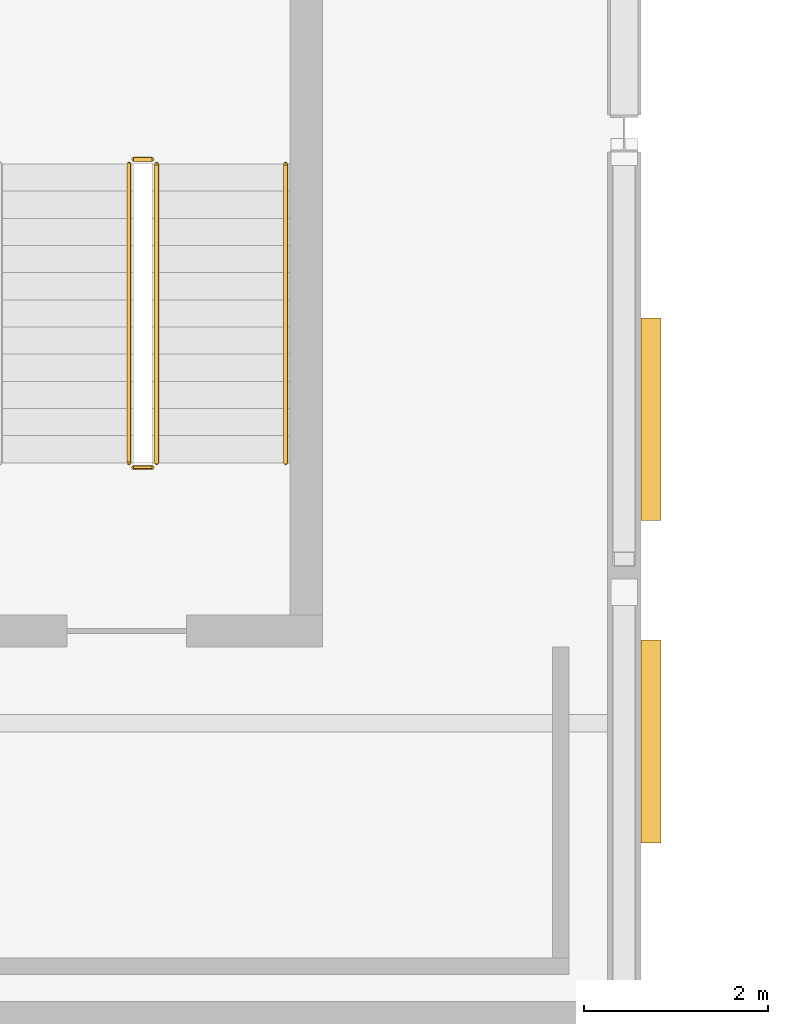
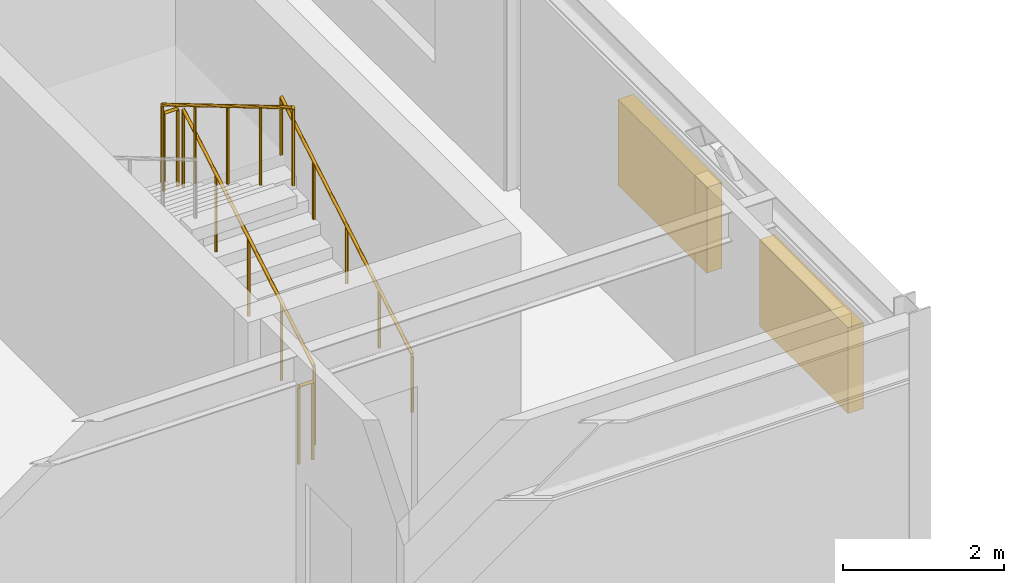
# One storey, part 94 of 99: 5 railings, 2 shading devices.
"""IFC4 building model written with IfcOpenShell, lengths in metres."""

import ifcopenshell
import ifcopenshell.guid

model = None  # the IFC model being written
_history = None  # IfcOwnerHistory: only IFC2X3 demands one
_inside = {}  # id of a spatial element -> (the spatial element, [elements in it])
_under = {}  # id of a project, library or spatial element -> (it, [spatial elements below it])
_declared = {}  # id of a project -> (the project, [libraries it declares])
_typed = {}  # id of a type object -> (the type object, [elements of that type])
_made_of = {}  # id of a material, layer set ... -> (it, [elements and type objects made of it])


def new_model(schema):
    """Start an empty IFC model of exactly this schema.

    Asked for "IFC4X3", IfcOpenShell would pick the latest addendum, in which some entities
    have other attributes; the version numbers below select the first issue.
    IFC2X3 requires an IfcOwnerHistory on every rooted entity: one is made here for all.
    """
    global model, _history
    if schema == "IFC4X3":
        model = ifcopenshell.file(schema_version=(4, 3, 0, 0))
    else:
        model = ifcopenshell.file(schema=schema)
    _inside.clear()
    _under.clear()
    _declared.clear()
    _typed.clear()
    _made_of.clear()
    _history = None
    if model.schema == "IFC2X3":
        org = make("IfcOrganization", Name="unknown")
        user = make(
            "IfcPersonAndOrganization",
            ThePerson=make("IfcPerson", FamilyName="unknown"),
            TheOrganization=org,
        )
        app = make(
            "IfcApplication",
            ApplicationDeveloper=org,
            Version="unknown",
            ApplicationFullName="unknown",
            ApplicationIdentifier="unknown",
        )
        _history = make(
            "IfcOwnerHistory",
            OwningUser=user,
            OwningApplication=app,
            ChangeAction="ADDED",
            CreationDate=0,
        )
    return model


def make(cls, **values):
    """One entity of the class cls with the attributes given. An attribute that is None is left unset."""
    return model.create_entity(
        cls, **{name: value for name, value in values.items() if value is not None}
    )


def rooted(cls, **values):
    """An entity with a GlobalId (a new one), such as an element, a storey or a relation."""
    return make(cls, GlobalId=ifcopenshell.guid.new(), OwnerHistory=_history, **values)


def si_unit(unit_type, name, prefix=None):
    """IfcSIUnit, for example si_unit("LENGTHUNIT", "METRE", prefix="MILLI")."""
    return make("IfcSIUnit", UnitType=unit_type, Prefix=prefix, Name=name)


def assignment(units):
    """IfcUnitAssignment: the units of a project."""
    return None if units is None else make("IfcUnitAssignment", Units=units)


def point(xyz):
    """IfcCartesianPoint."""
    return None if xyz is None else make("IfcCartesianPoint", Coordinates=xyz)


def direction(xyz):
    """IfcDirection."""
    return None if xyz is None else make("IfcDirection", DirectionRatios=xyz)


def frame(location, z_axis=None, x_axis=None):
    """IfcAxis2Placement3D, a coordinate frame: its origin and axes. An axis left out is left unset."""
    return make(
        "IfcAxis2Placement3D",
        Location=point(location),
        Axis=direction(z_axis),
        RefDirection=direction(x_axis),
    )


def frame_2d(location, x_axis=None):
    """IfcAxis2Placement2D, a coordinate frame in the plane: its origin and x axis."""
    return make(
        "IfcAxis2Placement2D", Location=point(location), RefDirection=direction(x_axis)
    )


def origin():
    """The frame at (0, 0, 0) with its axes left unset."""
    return frame((0.0, 0.0, 0.0))


def origin_2d():
    """The frame at (0, 0) in the plane with its x axis left unset."""
    return frame_2d((0.0, 0.0))


def place(relative_to, where):
    """IfcLocalPlacement: puts the frame where relative to a parent placement (None: the world)."""
    return make(
        "IfcLocalPlacement", PlacementRelTo=relative_to, RelativePlacement=where
    )


def context(
    kind, dimensions, precision=None, world=None, true_north=None, identifier=None
):
    """IfcGeometricRepresentationContext, for example the 3D "Model" context."""
    return make(
        "IfcGeometricRepresentationContext",
        ContextIdentifier=identifier,
        ContextType=kind,
        CoordinateSpaceDimension=dimensions,
        Precision=precision,
        WorldCoordinateSystem=world,
        TrueNorth=true_north,
    )


def subcontext(parent, identifier, kind, view, scale=None):
    """IfcGeometricRepresentationSubContext, for example "Body" below "Model"."""
    return make(
        "IfcGeometricRepresentationSubContext",
        ContextIdentifier=identifier,
        ContextType=kind,
        ParentContext=parent,
        TargetScale=scale,
        TargetView=view,
    )


def project(units=None, contexts=None):
    """IfcProject with its units and contexts."""
    return rooted(
        "IfcProject",
        Name="project",
        RepresentationContexts=contexts,
        UnitsInContext=assignment(units),
    )


def spatial(cls, under=None, at=None, **own):
    """A site, building, storey or space (cls), placed at a placement, below another one or the project."""
    s = rooted(cls, ObjectPlacement=at, **own)
    if under is not None:
        _under.setdefault(under.id(), (under, []))[1].append(s)
    return s


def profile(cls, at=None, kind="AREA", **sizes):
    """A parametric profile (cls). Its sizes go by their IFC names, for example OverallWidth=200.0."""
    return make(cls, ProfileType=kind, Position=at, **sizes)


def rectangle(**sizes):
    """IfcRectangleProfileDef."""
    return profile("IfcRectangleProfileDef", **sizes)


def circle(**sizes):
    """IfcCircleProfileDef."""
    return profile("IfcCircleProfileDef", **sizes)


def extrude(swept, where, along, depth):
    """IfcExtrudedAreaSolid: the profile swept, set in the frame where, extruded along a direction by depth."""
    return make(
        "IfcExtrudedAreaSolid",
        SweptArea=swept,
        Position=where,
        ExtrudedDirection=direction(along),
        Depth=depth,
    )


def shape(context_of_items, identifier, shape_type, items):
    """IfcShapeRepresentation: the items that make up one representation, for example the "Body"."""
    return make(
        "IfcShapeRepresentation",
        ContextOfItems=context_of_items,
        RepresentationIdentifier=identifier,
        RepresentationType=shape_type,
        Items=items,
    )


def material(Name=None, Category=None):
    """IfcMaterial."""
    return make("IfcMaterial", Name=Name, Category=Category)


def layer(
    of_material, thickness, ventilated=None, Name=None, Category=None, Priority=None
):
    """IfcMaterialLayer: one layer of a wall or slab, of a material (None: an air gap)."""
    return make(
        "IfcMaterialLayer",
        Material=of_material,
        LayerThickness=thickness,
        IsVentilated=ventilated,
        Name=Name,
        Category=Category,
        Priority=Priority,
    )


def layer_set(layers, Name=None):
    """IfcMaterialLayerSet."""
    return make("IfcMaterialLayerSet", MaterialLayers=layers, LayerSetName=Name)


def made_of(thing, what):
    """Note that an element or type object is made of a material, layer set ...; save() writes the relation."""
    if what is not None:
        _made_of.setdefault(what.id(), (what, []))[1].append(thing)
    return thing


def type_object(cls, material=None, **own):
    """A type object (cls), such as IfcWallType, which elements share."""
    return made_of(rooted(cls, **own), material)


def element(
    cls,
    number,
    at=None,
    inside=None,
    cuts=None,
    type_object=None,
    material=None,
    context=None,
    identifier="Body",
    shape_type=None,
    held_by="IfcProductDefinitionShape",
    body=None,
    shapes=None,
    **own,
):
    """One element of the class cls, such as IfcWall. Its Tag is "e" and its number.

    at: its placement. inside: the storey or other place that contains it. cuts: it is an
    opening in that element (IfcRelVoidsElement). A single representation is given by context,
    identifier, shape_type and body (its items); several are given by shapes. held_by: the class
    of the entity that holds the representations. save() writes the other relations.
    """
    e = rooted(cls, Tag="e%d" % number, ObjectPlacement=at, **own)
    if body is not None:
        shapes = [shape(context, identifier, shape_type, body)]
    if shapes is not None:
        e.Representation = make(held_by, Representations=shapes)
    if inside is not None:
        _inside.setdefault(inside.id(), (inside, []))[1].append(e)
    if cuts is not None:
        rooted(
            "IfcRelVoidsElement", RelatingBuildingElement=cuts, RelatedOpeningElement=e
        )
    if type_object is not None:
        _typed.setdefault(type_object.id(), (type_object, []))[1].append(e)
    return made_of(e, material)


def aggregate(whole, parts):
    """IfcRelAggregates: a whole, such as a stair, and the parts it consists of."""
    return rooted("IfcRelAggregates", RelatingObject=whole, RelatedObjects=parts)


def save(model, path):
    """Write the relations noted so far, then the file.

    IfcRelAggregates (storeys below a building ...), IfcRelContainedInSpatialStructure (elements
    in a storey), IfcRelDefinesByType, IfcRelAssociatesMaterial and IfcRelDeclares: one each for
    every whole, place, type object, material and project.
    """
    for whole, parts in _under.values():
        aggregate(whole, parts)
    for where, things in _inside.values():
        rooted(
            "IfcRelContainedInSpatialStructure",
            RelatedElements=things,
            RelatingStructure=where,
        )
    for kind, things in _typed.values():
        rooted("IfcRelDefinesByType", RelatedObjects=things, RelatingType=kind)
    for what, things in _made_of.values():
        rooted("IfcRelAssociatesMaterial", RelatedObjects=things, RelatingMaterial=what)
    for by, libraries in _declared.values():
        rooted("IfcRelDeclares", RelatingContext=by, RelatedDefinitions=libraries)
    model.write(path)


model = new_model("IFC4")

# Units and contexts
model_context = context("Model", 3, precision=1e-05, world=origin(), true_north=direction((0.0, 1.0)))
body_context = subcontext(model_context, "Body", "Model", "MODEL_VIEW")
ifc_project = project(units=[si_unit("LENGTHUNIT", "METRE"), si_unit("AREAUNIT", "SQUARE_METRE"), si_unit("VOLUMEUNIT", "CUBIC_METRE"), si_unit("PLANEANGLEUNIT", "RADIAN"), si_unit("MASSUNIT", "GRAM", prefix="KILO")], contexts=[model_context])

# Site, building, storey
site_placement = place(None, origin())
site = spatial("IfcSite", under=ifc_project, at=site_placement, CompositionType="ELEMENT")
building_placement = place(site_placement, origin())
building = spatial("IfcBuilding", under=site, at=building_placement, Name="Nordkorset Police Headquarters", CompositionType="ELEMENT")
storey_placement = place(building_placement, frame((0.0, 0.0, 5.25)))
storey = spatial("IfcBuildingStorey", under=building, at=storey_placement, Name="L01", CompositionType="ELEMENT", Elevation=5.25)

# Shading devices
ifc_material_1 = material(Name="Aluminium alloy AW-6060", Category="aluminium")
shading_device_type = type_object("IfcShadingDeviceType", Name="Louvre_Acoustic_Alu", PredefinedType="USERDEFINED", material=ifc_material_1)
for number, where, z_axis, x_axis, name in (
    (1, (115.489990234375, 51.0, 1.2998046875), (0.0, 0.0, 1.0), (1.0, 0.0, 0.0), "Weatherproof Acoustic Plant Louvre 03"),
    (2, (115.489990234375, 54.5, 1.2998046875), (0.0, 0.0, 1.0), (1.0, 0.0, 0.0), "Weatherproof Acoustic Plant Louvre 04"),
):
    element("IfcShadingDevice", number, at=place(storey_placement, frame(where, z_axis=z_axis, x_axis=x_axis)), inside=storey, type_object=shading_device_type, Name=name, ObjectType="ACOUSTIC LOUVRE", PredefinedType="USERDEFINED", context=body_context, shape_type="SweptSolid", body=[
        extrude(rectangle(XDim=0.219970703125, YDim=2.199951171875, at=origin_2d()), origin(), (0.0, 0.0, 1.0), 1.300048828125),
    ])

# Railings
ifc_material_2 = material(Name="Steel S355J2", Category="steel")
ifc_layer_1 = layer(ifc_material_2, 0.048095703125, Name="Steel S355J2")
ifc_layer_set_1 = layer_set([ifc_layer_1], Name="Steel S355J2")
railing_type_1 = type_object("IfcRailingType", Name="Railing_Handrail_900", PredefinedType="HANDRAIL", material=ifc_layer_set_1)
railing_1_placement = place(storey_placement, frame((111.52490234375, 54.02490234375, 0.175048828125)))
element("IfcRailing", 3, at=railing_1_placement, inside=storey, type_object=railing_type_1, Name="L01 ST-09 stair handrail 1", PredefinedType="HANDRAIL", context=body_context, shape_type="SweptSolid", body=[
    extrude(circle(Radius=0.02392578125, at=origin_2d()), frame((0.0, 0.0, 0.8759765625), z_axis=(0.0, 0.860057060016, 0.510197857224), x_axis=(-1.0, 0.0, 0.0)), (0.0, 0.0, 1.0), 3.773193359375),
    extrude(circle(Radius=0.02099609375, at=origin_2d()), origin(), (0.0, 0.0, 1.0), 0.851806640625),
    extrude(circle(Radius=0.02099609375, at=origin_2d()), frame((0.0, 0.811279296875, 0.481201171875)), (0.0, 0.0, 1.0), 0.851806640625),
    extrude(circle(Radius=0.02099609375, at=origin_2d()), frame((0.0, 1.62255859375, 0.96240234375)), (0.0, 0.0, 1.0), 0.851806640625),
    extrude(circle(Radius=0.02099609375, at=origin_2d()), frame((0.0, 2.433837890625, 1.44384765625)), (0.0, 0.0, 1.0), 0.851806640625),
    extrude(circle(Radius=0.02099609375, at=origin_2d()), frame((0.0, 3.2451171875, 1.925048828125)), (0.0, 0.0, 1.0), 0.851806640625),
])
ifc_material_3 = material(Name="Steel S355J2", Category="steel")
ifc_layer_2 = layer(ifc_material_3, 0.050048828125, Name="Steel S355J2")
ifc_layer_set_2 = layer_set([ifc_layer_2], Name="Steel S355J2")
railing_type_2 = type_object("IfcRailingType", Name="Railing_StairGuard_1200", PredefinedType="GUARDRAIL", material=ifc_layer_set_2)
railing_2_placement = place(storey_placement, frame((110.125, 54.02490234375, 0.175048828125)))
element("IfcRailing", 4, at=railing_2_placement, inside=storey, type_object=railing_type_2, Name="L01 ST-09 stair guard 1", PredefinedType="GUARDRAIL", context=body_context, shape_type="SweptSolid", body=[
    extrude(circle(Radius=0.02392578125, at=origin_2d()), frame((0.0, 0.0, 1.17578125), z_axis=(0.0, 0.860057060016, 0.510197857224), x_axis=(-1.0, 0.0, 0.0)), (0.0, 0.0, 1.0), 3.773193359375),
    extrude(circle(Radius=0.02099609375, at=origin_2d()), origin(), (0.0, 0.0, 1.0), 1.15185546875),
    extrude(circle(Radius=0.02099609375, at=origin_2d()), frame((0.0, 0.811279296875, 0.481201171875)), (0.0, 0.0, 1.0), 1.15185546875),
    extrude(circle(Radius=0.02099609375, at=origin_2d()), frame((0.0, 1.62255859375, 0.96240234375)), (0.0, 0.0, 1.0), 1.15185546875),
    extrude(circle(Radius=0.02099609375, at=origin_2d()), frame((0.0, 2.433837890625, 1.44384765625)), (0.0, 0.0, 1.0), 1.15185546875),
    extrude(circle(Radius=0.02099609375, at=origin_2d()), frame((0.0, 3.2451171875, 1.925048828125)), (0.0, 0.0, 1.0), 1.15185546875),
])
railing_3_placement = place(storey_placement, frame((110.074951171875, 57.320068359375, 2.10009765625)))
element("IfcRailing", 5, at=railing_3_placement, inside=storey, type_object=railing_type_2, Name="L01 ST-09 stair guard 2", PredefinedType="GUARDRAIL", context=body_context, shape_type="SweptSolid", body=[
    extrude(circle(Radius=0.02392578125, at=origin_2d()), frame((0.0, 0.0, 1.17578125), z_axis=(-1.0, 0.0, 0.0), x_axis=(0.0, -1.0, 0.0)), (0.0, 0.0, 1.0), 0.199951171875),
    extrude(circle(Radius=0.02099609375, at=origin_2d()), origin(), (0.0, 0.0, 1.0), 1.15185546875),
    extrude(circle(Radius=0.02099609375, at=origin_2d()), frame((-0.199951171875, 0.0, 0.0)), (0.0, 0.0, 1.0), 1.15185546875),
])
railing_4_placement = place(storey_placement, frame((109.824951171875, 57.27001953125, 2.27490234375)))
element("IfcRailing", 6, at=railing_4_placement, inside=storey, type_object=railing_type_2, Name="L01 ST-09 stair guard 3", PredefinedType="GUARDRAIL", context=body_context, shape_type="SweptSolid", body=[
    extrude(circle(Radius=0.02392578125, at=origin_2d()), frame((0.0, 0.0, 1.17578125), z_axis=(0.0, -0.860057060016, 0.510197857224), x_axis=(1.0, 0.0, 0.0)), (0.0, 0.0, 1.0), 3.773193359375),
    extrude(circle(Radius=0.02099609375, at=origin_2d()), origin(), (0.0, 0.0, 1.0), 1.15185546875),
    extrude(circle(Radius=0.02099609375, at=origin_2d()), frame((0.0, -0.811279296875, 0.481201171875)), (0.0, 0.0, 1.0), 1.15185546875),
    extrude(circle(Radius=0.02099609375, at=origin_2d()), frame((0.0, -1.62255859375, 0.96240234375)), (0.0, 0.0, 1.0), 1.15185546875),
    extrude(circle(Radius=0.02099609375, at=origin_2d()), frame((0.0, -2.433837890625, 1.44384765625)), (0.0, 0.0, 1.0), 1.15185546875),
    extrude(circle(Radius=0.02099609375, at=origin_2d()), frame((0.0, -3.2451171875, 1.925048828125)), (0.0, 0.0, 1.0), 1.15185546875),
])
railing_5_placement = place(storey_placement, frame((110.074951171875, 53.97509765625, 0.0)))
element("IfcRailing", 7, at=railing_5_placement, inside=storey, type_object=railing_type_2, Name="L01 ST-09 stair guard 4", PredefinedType="GUARDRAIL", context=body_context, shape_type="SweptSolid", body=[
    extrude(circle(Radius=0.02392578125, at=origin_2d()), frame((0.0, 0.0, 1.17578125), z_axis=(-1.0, 0.0, 0.0), x_axis=(0.0, -1.0, 0.0)), (0.0, 0.0, 1.0), 0.199951171875),
    extrude(circle(Radius=0.02099609375, at=origin_2d()), origin(), (0.0, 0.0, 1.0), 1.15185546875),
    extrude(circle(Radius=0.02099609375, at=origin_2d()), frame((-0.199951171875, 0.0, 0.0)), (0.0, 0.0, 1.0), 1.15185546875),
])

save(model, "model.ifc")
